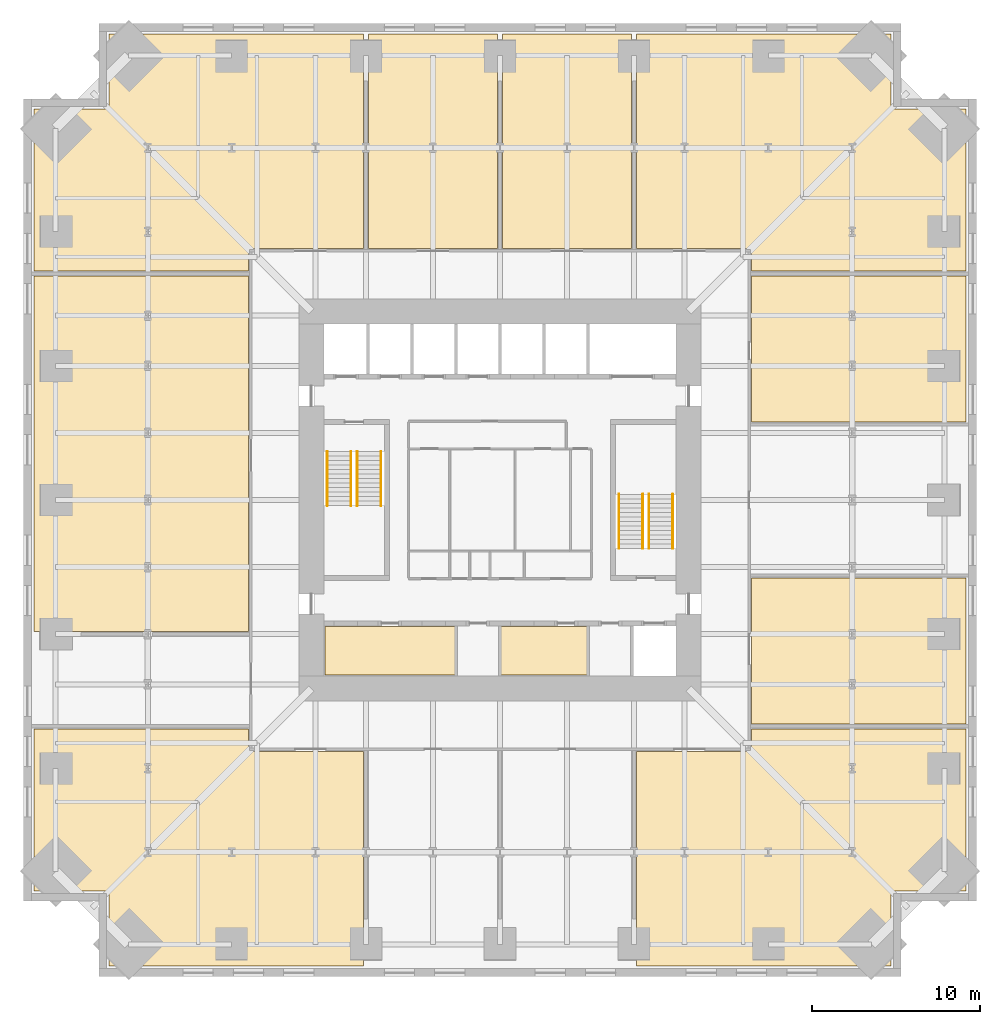
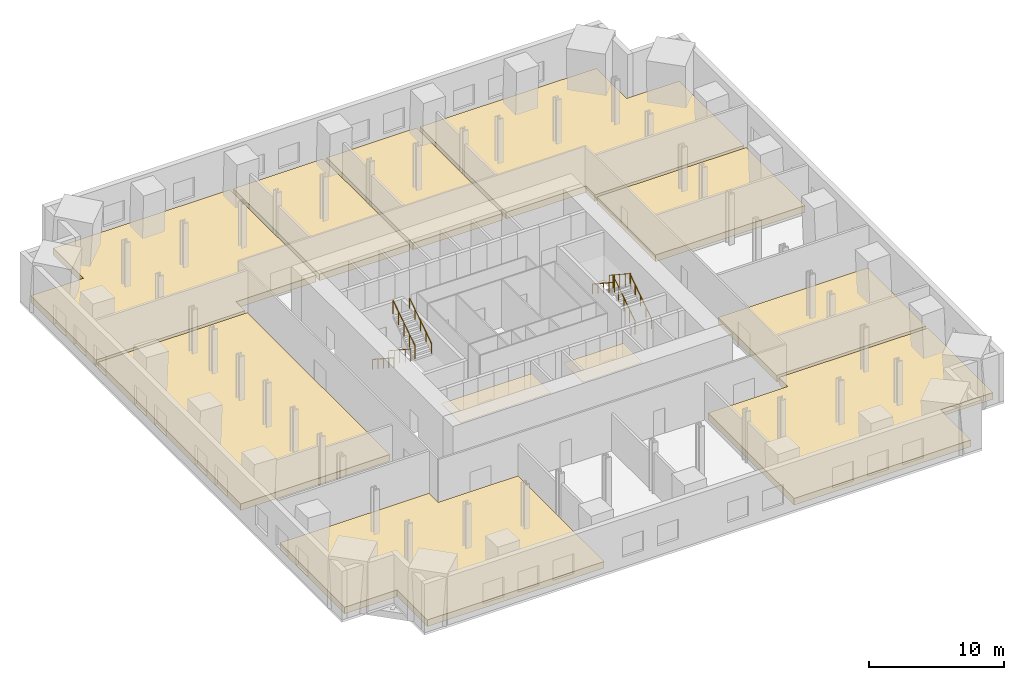
# One storey, part 8 of 8: 11 coverings, 8 railings.
"""IFC4 building model written with IfcOpenShell, lengths in metres."""

import ifcopenshell
import ifcopenshell.guid

model = None  # the IFC model being written
_history = None  # IfcOwnerHistory: only IFC2X3 demands one
_inside = {}  # id of a spatial element -> (the spatial element, [elements in it])
_under = {}  # id of a project, library or spatial element -> (it, [spatial elements below it])
_declared = {}  # id of a project -> (the project, [libraries it declares])
_typed = {}  # id of a type object -> (the type object, [elements of that type])
_made_of = {}  # id of a material, layer set ... -> (it, [elements and type objects made of it])


def new_model(schema):
    """Start an empty IFC model of exactly this schema.

    Asked for "IFC4X3", IfcOpenShell would pick the latest addendum, in which some entities
    have other attributes; the version numbers below select the first issue.
    IFC2X3 requires an IfcOwnerHistory on every rooted entity: one is made here for all.
    """
    global model, _history
    if schema == "IFC4X3":
        model = ifcopenshell.file(schema_version=(4, 3, 0, 0))
    else:
        model = ifcopenshell.file(schema=schema)
    _inside.clear()
    _under.clear()
    _declared.clear()
    _typed.clear()
    _made_of.clear()
    _history = None
    if model.schema == "IFC2X3":
        org = make("IfcOrganization", Name="unknown")
        user = make(
            "IfcPersonAndOrganization",
            ThePerson=make("IfcPerson", FamilyName="unknown"),
            TheOrganization=org,
        )
        app = make(
            "IfcApplication",
            ApplicationDeveloper=org,
            Version="unknown",
            ApplicationFullName="unknown",
            ApplicationIdentifier="unknown",
        )
        _history = make(
            "IfcOwnerHistory",
            OwningUser=user,
            OwningApplication=app,
            ChangeAction="ADDED",
            CreationDate=0,
        )
    return model


def make(cls, **values):
    """One entity of the class cls with the attributes given. An attribute that is None is left unset."""
    return model.create_entity(
        cls, **{name: value for name, value in values.items() if value is not None}
    )


def rooted(cls, **values):
    """An entity with a GlobalId (a new one), such as an element, a storey or a relation."""
    return make(cls, GlobalId=ifcopenshell.guid.new(), OwnerHistory=_history, **values)


def si_unit(unit_type, name, prefix=None):
    """IfcSIUnit, for example si_unit("LENGTHUNIT", "METRE", prefix="MILLI")."""
    return make("IfcSIUnit", UnitType=unit_type, Prefix=prefix, Name=name)


def assignment(units):
    """IfcUnitAssignment: the units of a project."""
    return None if units is None else make("IfcUnitAssignment", Units=units)


def point(xyz):
    """IfcCartesianPoint."""
    return None if xyz is None else make("IfcCartesianPoint", Coordinates=xyz)


def direction(xyz):
    """IfcDirection."""
    return None if xyz is None else make("IfcDirection", DirectionRatios=xyz)


def frame(location, z_axis=None, x_axis=None):
    """IfcAxis2Placement3D, a coordinate frame: its origin and axes. An axis left out is left unset."""
    return make(
        "IfcAxis2Placement3D",
        Location=point(location),
        Axis=direction(z_axis),
        RefDirection=direction(x_axis),
    )


def frame_2d(location, x_axis=None):
    """IfcAxis2Placement2D, a coordinate frame in the plane: its origin and x axis."""
    return make(
        "IfcAxis2Placement2D", Location=point(location), RefDirection=direction(x_axis)
    )


def origin():
    """The frame at (0, 0, 0) with its axes left unset."""
    return frame((0.0, 0.0, 0.0))


def origin_2d():
    """The frame at (0, 0) in the plane with its x axis left unset."""
    return frame_2d((0.0, 0.0))


def place(relative_to, where):
    """IfcLocalPlacement: puts the frame where relative to a parent placement (None: the world)."""
    return make(
        "IfcLocalPlacement", PlacementRelTo=relative_to, RelativePlacement=where
    )


def context(
    kind, dimensions, precision=None, world=None, true_north=None, identifier=None
):
    """IfcGeometricRepresentationContext, for example the 3D "Model" context."""
    return make(
        "IfcGeometricRepresentationContext",
        ContextIdentifier=identifier,
        ContextType=kind,
        CoordinateSpaceDimension=dimensions,
        Precision=precision,
        WorldCoordinateSystem=world,
        TrueNorth=true_north,
    )


def subcontext(parent, identifier, kind, view, scale=None):
    """IfcGeometricRepresentationSubContext, for example "Body" below "Model"."""
    return make(
        "IfcGeometricRepresentationSubContext",
        ContextIdentifier=identifier,
        ContextType=kind,
        ParentContext=parent,
        TargetScale=scale,
        TargetView=view,
    )


def project(units=None, contexts=None):
    """IfcProject with its units and contexts."""
    return rooted(
        "IfcProject",
        Name="project",
        RepresentationContexts=contexts,
        UnitsInContext=assignment(units),
    )


def spatial(cls, under=None, at=None, **own):
    """A site, building, storey or space (cls), placed at a placement, below another one or the project."""
    s = rooted(cls, ObjectPlacement=at, **own)
    if under is not None:
        _under.setdefault(under.id(), (under, []))[1].append(s)
    return s


def polyline(points):
    """IfcPolyline through the points."""
    return make("IfcPolyline", Points=[point(p) for p in points])


def profile(cls, at=None, kind="AREA", **sizes):
    """A parametric profile (cls). Its sizes go by their IFC names, for example OverallWidth=200.0."""
    return make(cls, ProfileType=kind, Position=at, **sizes)


def circle(**sizes):
    """IfcCircleProfileDef."""
    return profile("IfcCircleProfileDef", **sizes)


def outline(outer, holes=None, kind="AREA"):
    """IfcArbitraryClosedProfileDef: a profile drawn as a closed curve; with holes, ...WithVoids."""
    if holes is None:
        return make("IfcArbitraryClosedProfileDef", ProfileType=kind, OuterCurve=outer)
    return make(
        "IfcArbitraryProfileDefWithVoids",
        ProfileType=kind,
        OuterCurve=outer,
        InnerCurves=holes,
    )


def extrude(swept, where, along, depth):
    """IfcExtrudedAreaSolid: the profile swept, set in the frame where, extruded along a direction by depth."""
    return make(
        "IfcExtrudedAreaSolid",
        SweptArea=swept,
        Position=where,
        ExtrudedDirection=direction(along),
        Depth=depth,
    )


def shape(context_of_items, identifier, shape_type, items):
    """IfcShapeRepresentation: the items that make up one representation, for example the "Body"."""
    return make(
        "IfcShapeRepresentation",
        ContextOfItems=context_of_items,
        RepresentationIdentifier=identifier,
        RepresentationType=shape_type,
        Items=items,
    )


def material(Name=None, Category=None):
    """IfcMaterial."""
    return make("IfcMaterial", Name=Name, Category=Category)


def layer(
    of_material, thickness, ventilated=None, Name=None, Category=None, Priority=None
):
    """IfcMaterialLayer: one layer of a wall or slab, of a material (None: an air gap)."""
    return make(
        "IfcMaterialLayer",
        Material=of_material,
        LayerThickness=thickness,
        IsVentilated=ventilated,
        Name=Name,
        Category=Category,
        Priority=Priority,
    )


def layer_set(layers, Name=None):
    """IfcMaterialLayerSet."""
    return make("IfcMaterialLayerSet", MaterialLayers=layers, LayerSetName=Name)


def made_of(thing, what):
    """Note that an element or type object is made of a material, layer set ...; save() writes the relation."""
    if what is not None:
        _made_of.setdefault(what.id(), (what, []))[1].append(thing)
    return thing


def type_object(cls, material=None, **own):
    """A type object (cls), such as IfcWallType, which elements share."""
    return made_of(rooted(cls, **own), material)


def element(
    cls,
    number,
    at=None,
    inside=None,
    cuts=None,
    type_object=None,
    material=None,
    context=None,
    identifier="Body",
    shape_type=None,
    held_by="IfcProductDefinitionShape",
    body=None,
    shapes=None,
    **own,
):
    """One element of the class cls, such as IfcWall. Its Tag is "e" and its number.

    at: its placement. inside: the storey or other place that contains it. cuts: it is an
    opening in that element (IfcRelVoidsElement). A single representation is given by context,
    identifier, shape_type and body (its items); several are given by shapes. held_by: the class
    of the entity that holds the representations. save() writes the other relations.
    """
    e = rooted(cls, Tag="e%d" % number, ObjectPlacement=at, **own)
    if body is not None:
        shapes = [shape(context, identifier, shape_type, body)]
    if shapes is not None:
        e.Representation = make(held_by, Representations=shapes)
    if inside is not None:
        _inside.setdefault(inside.id(), (inside, []))[1].append(e)
    if cuts is not None:
        rooted(
            "IfcRelVoidsElement", RelatingBuildingElement=cuts, RelatedOpeningElement=e
        )
    if type_object is not None:
        _typed.setdefault(type_object.id(), (type_object, []))[1].append(e)
    return made_of(e, material)


def aggregate(whole, parts):
    """IfcRelAggregates: a whole, such as a stair, and the parts it consists of."""
    return rooted("IfcRelAggregates", RelatingObject=whole, RelatedObjects=parts)


def save(model, path):
    """Write the relations noted so far, then the file.

    IfcRelAggregates (storeys below a building ...), IfcRelContainedInSpatialStructure (elements
    in a storey), IfcRelDefinesByType, IfcRelAssociatesMaterial and IfcRelDeclares: one each for
    every whole, place, type object, material and project.
    """
    for whole, parts in _under.values():
        aggregate(whole, parts)
    for where, things in _inside.values():
        rooted(
            "IfcRelContainedInSpatialStructure",
            RelatedElements=things,
            RelatingStructure=where,
        )
    for kind, things in _typed.values():
        rooted("IfcRelDefinesByType", RelatedObjects=things, RelatingType=kind)
    for what, things in _made_of.values():
        rooted("IfcRelAssociatesMaterial", RelatedObjects=things, RelatingMaterial=what)
    for by, libraries in _declared.values():
        rooted("IfcRelDeclares", RelatingContext=by, RelatedDefinitions=libraries)
    model.write(path)


model = new_model("IFC4")

# Units and contexts
model_context = context("Model", 3, precision=1e-05, world=origin(), true_north=direction((0.0, 1.0)))
body_context = subcontext(model_context, "Body", "Model", "MODEL_VIEW")
ifc_project = project(units=[si_unit("LENGTHUNIT", "METRE"), si_unit("AREAUNIT", "SQUARE_METRE"), si_unit("VOLUMEUNIT", "CUBIC_METRE"), si_unit("PLANEANGLEUNIT", "RADIAN"), si_unit("MASSUNIT", "GRAM", prefix="KILO")], contexts=[model_context])

# Site, building, storey
site_placement = place(None, origin())
site = spatial("IfcSite", under=ifc_project, at=site_placement, CompositionType="ELEMENT")
building_placement = place(site_placement, origin())
building = spatial("IfcBuilding", under=site, at=building_placement, Name="Peilmerk Tower", CompositionType="ELEMENT")
storey_placement = place(building_placement, frame((0.0, 0.0, 109.0)))
storey = spatial("IfcBuildingStorey", under=building, at=storey_placement, Name="L21", CompositionType="ELEMENT", Elevation=109.0)

# Coverings
ifc_material_1 = material(Name="Mineral fibre ceiling tiles", Category="mineral")
ifc_layer_1 = layer(ifc_material_1, 0.02490234375)
ifc_layer_set_1 = layer_set([ifc_layer_1], Name="Mineral fibre ceiling tiles")
covering_type_1 = type_object("IfcCoveringType", Name="CL1 25 suspended ceiling", PredefinedType="CEILING", material=ifc_layer_set_1)
covering_1_placement = place(storey_placement, frame((0.0, 0.0, 3.425048828125)))
element("IfcCovering", 1, at=covering_1_placement, inside=storey, type_object=covering_type_1, Name="Suspended ceiling Back-of-house office", PredefinedType="CEILING", context=body_context, shape_type="SweptSolid", body=[
    extrude(outline(polyline([(-10.448974609375, -10.448974609375), (-2.676025390625, -10.448974609375), (-2.676025390625, -7.551025390625), (-10.448974609375, -7.551025390625), (-10.448974609375, -10.448974609375)])), origin(), (0.0, 0.0, 1.0), 0.02490234375),
])
covering_2_placement = place(storey_placement, frame((0.0, 0.0, 3.425048828125)))
element("IfcCovering", 2, at=covering_2_placement, inside=storey, type_object=covering_type_1, Name="Suspended ceiling Pantry", PredefinedType="CEILING", context=body_context, shape_type="SweptSolid", body=[
    extrude(outline(polyline([(0.051025390625, -10.448974609375), (5.198974609375, -10.448974609375), (5.198974609375, -7.551025390625), (0.051025390625, -7.551025390625), (0.051025390625, -10.448974609375)])), origin(), (0.0, 0.0, 1.0), 0.02490234375),
])

# Railings
ifc_material_2 = material(Name="Steel flat bar balustrade", Category="steel")
railing_type_1 = type_object("IfcRailingType", Name="GR1 1200 stair guard", PredefinedType="GUARDRAIL", material=ifc_material_2)
railing_1_placement = place(storey_placement, frame((-8.8798828125, 2.89990234375, 0.177001953125)))
element("IfcRailing", 3, at=railing_1_placement, inside=storey, type_object=railing_type_1, Name="Guard stair 1 L21", PredefinedType="GUARDRAIL", context=body_context, shape_type="SweptSolid", body=[
    extrude(circle(Radius=0.02392578125, at=origin_2d()), frame((0.0, 0.0, 1.17578125), z_axis=(0.0, -0.836426258751, 0.548079477514), x_axis=(1.0, 0.0, 0.0)), (0.0, 0.0, 1.0), 3.87353515625),
    extrude(circle(Radius=0.02099609375, at=origin_2d()), origin(), (0.0, 0.0, 1.0), 1.15185546875),
    extrude(circle(Radius=0.02099609375, at=origin_2d()), frame((0.0, -0.81005859375, 0.53076171875)), (0.0, 0.0, 1.0), 1.15185546875),
    extrude(circle(Radius=0.02099609375, at=origin_2d()), frame((0.0, -1.6201171875, 1.0615234375)), (0.0, 0.0, 1.0), 1.15185546875),
    extrude(circle(Radius=0.02099609375, at=origin_2d()), frame((0.0, -2.429931640625, 1.59228515625)), (0.0, 0.0, 1.0), 1.15185546875),
    extrude(circle(Radius=0.02099609375, at=origin_2d()), frame((0.0, -3.239990234375, 2.123046875)), (0.0, 0.0, 1.0), 1.15185546875),
])
railing_2_placement = place(storey_placement, frame((-8.52001953125, -0.340087890625, 2.476806640625)))
element("IfcRailing", 4, at=railing_2_placement, inside=storey, type_object=railing_type_1, Name="Guard stair 1 L21", PredefinedType="GUARDRAIL", context=body_context, shape_type="SweptSolid", body=[
    extrude(circle(Radius=0.02392578125, at=origin_2d()), frame((0.0, 0.0, 1.17578125), z_axis=(0.0, 0.836397365415, 0.548123569212), x_axis=(-1.0, 0.0, 0.0)), (0.0, 0.0, 1.0), 3.873779296875),
    extrude(circle(Radius=0.02099609375, at=origin_2d()), origin(), (0.0, 0.0, 1.0), 1.15185546875),
    extrude(circle(Radius=0.02099609375, at=origin_2d()), frame((0.0, 0.81005859375, 0.53076171875)), (0.0, 0.0, 1.0), 1.15185546875),
    extrude(circle(Radius=0.02099609375, at=origin_2d()), frame((0.0, 1.6201171875, 1.0615234375)), (0.0, 0.0, 1.0), 1.15185546875),
    extrude(circle(Radius=0.02099609375, at=origin_2d()), frame((0.0, 2.429931640625, 1.592529296875)), (0.0, 0.0, 1.0), 1.15185546875),
    extrude(circle(Radius=0.02099609375, at=origin_2d()), frame((0.0, 3.239990234375, 2.123291015625)), (0.0, 0.0, 1.0), 1.15185546875),
])
railing_3_placement = place(storey_placement, frame((8.8798828125, -2.89990234375, 0.177001953125)))
element("IfcRailing", 5, at=railing_3_placement, inside=storey, type_object=railing_type_1, Name="Guard stair 2 L21", PredefinedType="GUARDRAIL", context=body_context, shape_type="SweptSolid", body=[
    extrude(circle(Radius=0.02392578125, at=origin_2d()), frame((0.0, 0.0, 1.17578125), z_axis=(0.0, 0.836426258751, 0.548079477514), x_axis=(-1.0, 0.0, 0.0)), (0.0, 0.0, 1.0), 3.87353515625),
    extrude(circle(Radius=0.02099609375, at=origin_2d()), origin(), (0.0, 0.0, 1.0), 1.15185546875),
    extrude(circle(Radius=0.02099609375, at=origin_2d()), frame((0.0, 0.81005859375, 0.53076171875)), (0.0, 0.0, 1.0), 1.15185546875),
    extrude(circle(Radius=0.02099609375, at=origin_2d()), frame((0.0, 1.6201171875, 1.0615234375)), (0.0, 0.0, 1.0), 1.15185546875),
    extrude(circle(Radius=0.02099609375, at=origin_2d()), frame((0.0, 2.429931640625, 1.59228515625)), (0.0, 0.0, 1.0), 1.15185546875),
    extrude(circle(Radius=0.02099609375, at=origin_2d()), frame((0.0, 3.239990234375, 2.123046875)), (0.0, 0.0, 1.0), 1.15185546875),
])
railing_4_placement = place(storey_placement, frame((8.52001953125, 0.340087890625, 2.476806640625)))
element("IfcRailing", 6, at=railing_4_placement, inside=storey, type_object=railing_type_1, Name="Guard stair 2 L21", PredefinedType="GUARDRAIL", context=body_context, shape_type="SweptSolid", body=[
    extrude(circle(Radius=0.02392578125, at=origin_2d()), frame((0.0, 0.0, 1.17578125), z_axis=(0.0, -0.836397365415, 0.548123569212), x_axis=(1.0, 0.0, 0.0)), (0.0, 0.0, 1.0), 3.873779296875),
    extrude(circle(Radius=0.02099609375, at=origin_2d()), origin(), (0.0, 0.0, 1.0), 1.15185546875),
    extrude(circle(Radius=0.02099609375, at=origin_2d()), frame((0.0, -0.81005859375, 0.53076171875)), (0.0, 0.0, 1.0), 1.15185546875),
    extrude(circle(Radius=0.02099609375, at=origin_2d()), frame((0.0, -1.6201171875, 1.0615234375)), (0.0, 0.0, 1.0), 1.15185546875),
    extrude(circle(Radius=0.02099609375, at=origin_2d()), frame((0.0, -2.429931640625, 1.592529296875)), (0.0, 0.0, 1.0), 1.15185546875),
    extrude(circle(Radius=0.02099609375, at=origin_2d()), frame((0.0, -3.239990234375, 2.123291015625)), (0.0, 0.0, 1.0), 1.15185546875),
])
ifc_material_3 = material(Name="Stainless steel tube", Category="steel")
railing_type_2 = type_object("IfcRailingType", Name="HR1 900 stair handrail", PredefinedType="HANDRAIL", material=ifc_material_3)
railing_5_placement = place(storey_placement, frame((-10.300048828125, 2.89990234375, 0.177001953125)))
element("IfcRailing", 7, at=railing_5_placement, inside=storey, type_object=railing_type_2, Name="Handrail stair 1 L21", PredefinedType="HANDRAIL", context=body_context, shape_type="SweptSolid", body=[
    extrude(circle(Radius=0.02392578125, at=origin_2d()), frame((0.0, 0.0, 0.8759765625), z_axis=(0.0, -0.836426258751, 0.548079477514), x_axis=(1.0, 0.0, 0.0)), (0.0, 0.0, 1.0), 3.87353515625),
    extrude(circle(Radius=0.02099609375, at=origin_2d()), origin(), (0.0, 0.0, 1.0), 0.851806640625),
    extrude(circle(Radius=0.02099609375, at=origin_2d()), frame((0.0, -0.81005859375, 0.53076171875)), (0.0, 0.0, 1.0), 0.851806640625),
    extrude(circle(Radius=0.02099609375, at=origin_2d()), frame((0.0, -1.6201171875, 1.0615234375)), (0.0, 0.0, 1.0), 0.851806640625),
    extrude(circle(Radius=0.02099609375, at=origin_2d()), frame((0.0, -2.429931640625, 1.59228515625)), (0.0, 0.0, 1.0), 0.851806640625),
    extrude(circle(Radius=0.02099609375, at=origin_2d()), frame((0.0, -3.239990234375, 2.123046875)), (0.0, 0.0, 1.0), 0.851806640625),
])
railing_6_placement = place(storey_placement, frame((-7.10009765625, -0.340087890625, 2.476806640625)))
element("IfcRailing", 8, at=railing_6_placement, inside=storey, type_object=railing_type_2, Name="Handrail stair 1 L21", PredefinedType="HANDRAIL", context=body_context, shape_type="SweptSolid", body=[
    extrude(circle(Radius=0.02392578125, at=origin_2d()), frame((0.0, 0.0, 0.8759765625), z_axis=(0.0, 0.836397365415, 0.548123569212), x_axis=(-1.0, 0.0, 0.0)), (0.0, 0.0, 1.0), 3.873779296875),
    extrude(circle(Radius=0.02099609375, at=origin_2d()), origin(), (0.0, 0.0, 1.0), 0.851806640625),
    extrude(circle(Radius=0.02099609375, at=origin_2d()), frame((0.0, 0.81005859375, 0.53076171875)), (0.0, 0.0, 1.0), 0.851806640625),
    extrude(circle(Radius=0.02099609375, at=origin_2d()), frame((0.0, 1.6201171875, 1.0615234375)), (0.0, 0.0, 1.0), 0.851806640625),
    extrude(circle(Radius=0.02099609375, at=origin_2d()), frame((0.0, 2.429931640625, 1.592529296875)), (0.0, 0.0, 1.0), 0.851806640625),
    extrude(circle(Radius=0.02099609375, at=origin_2d()), frame((0.0, 3.239990234375, 2.123291015625)), (0.0, 0.0, 1.0), 0.851806640625),
])
railing_7_placement = place(storey_placement, frame((10.300048828125, -2.89990234375, 0.177001953125)))
element("IfcRailing", 9, at=railing_7_placement, inside=storey, type_object=railing_type_2, Name="Handrail stair 2 L21", PredefinedType="HANDRAIL", context=body_context, shape_type="SweptSolid", body=[
    extrude(circle(Radius=0.02392578125, at=origin_2d()), frame((0.0, 0.0, 0.8759765625), z_axis=(0.0, 0.836426258751, 0.548079477514), x_axis=(-1.0, 0.0, 0.0)), (0.0, 0.0, 1.0), 3.87353515625),
    extrude(circle(Radius=0.02099609375, at=origin_2d()), origin(), (0.0, 0.0, 1.0), 0.851806640625),
    extrude(circle(Radius=0.02099609375, at=origin_2d()), frame((0.0, 0.81005859375, 0.53076171875)), (0.0, 0.0, 1.0), 0.851806640625),
    extrude(circle(Radius=0.02099609375, at=origin_2d()), frame((0.0, 1.6201171875, 1.0615234375)), (0.0, 0.0, 1.0), 0.851806640625),
    extrude(circle(Radius=0.02099609375, at=origin_2d()), frame((0.0, 2.429931640625, 1.59228515625)), (0.0, 0.0, 1.0), 0.851806640625),
    extrude(circle(Radius=0.02099609375, at=origin_2d()), frame((0.0, 3.239990234375, 2.123046875)), (0.0, 0.0, 1.0), 0.851806640625),
])
railing_8_placement = place(storey_placement, frame((7.10009765625, 0.340087890625, 2.476806640625)))
element("IfcRailing", 10, at=railing_8_placement, inside=storey, type_object=railing_type_2, Name="Handrail stair 2 L21", PredefinedType="HANDRAIL", context=body_context, shape_type="SweptSolid", body=[
    extrude(circle(Radius=0.02392578125, at=origin_2d()), frame((0.0, 0.0, 0.8759765625), z_axis=(0.0, -0.836397365415, 0.548123569212), x_axis=(1.0, 0.0, 0.0)), (0.0, 0.0, 1.0), 3.873779296875),
    extrude(circle(Radius=0.02099609375, at=origin_2d()), origin(), (0.0, 0.0, 1.0), 0.851806640625),
    extrude(circle(Radius=0.02099609375, at=origin_2d()), frame((0.0, -0.81005859375, 0.53076171875)), (0.0, 0.0, 1.0), 0.851806640625),
    extrude(circle(Radius=0.02099609375, at=origin_2d()), frame((0.0, -1.6201171875, 1.0615234375)), (0.0, 0.0, 1.0), 0.851806640625),
    extrude(circle(Radius=0.02099609375, at=origin_2d()), frame((0.0, -2.429931640625, 1.592529296875)), (0.0, 0.0, 1.0), 0.851806640625),
    extrude(circle(Radius=0.02099609375, at=origin_2d()), frame((0.0, -3.239990234375, 2.123291015625)), (0.0, 0.0, 1.0), 0.851806640625),
])

# Coverings
ifc_material_4 = material(Name="Steel raised access floor panels on pedestals", Category="steel")
ifc_layer_2 = layer(ifc_material_4, 0.60009765625)
ifc_layer_set_2 = layer_set([ifc_layer_2], Name="Steel raised access floor panels on pedestals")
covering_type_2 = type_object("IfcCoveringType", Name="RF1 600 raised access floor", PredefinedType="FLOORING", material=ifc_layer_set_2)
covering_3_placement = place(storey_placement, origin())
element("IfcCovering", 11, at=covering_3_placement, inside=storey, type_object=covering_type_2, Name="Raised access floor Fibre distribution room A", PredefinedType="FLOORING", context=body_context, shape_type="SweptSolid", body=[
    extrude(outline(polyline([(-27.800048828125, 23.300048828125), (-27.800048828125, 13.64990234375), (-15.0, 13.64990234375), (-15.0, 15.0), (-8.14990234375, 15.0), (-8.14990234375, 27.800048828125), (-23.300048828125, 27.800048828125), (-23.300048828125, 23.300048828125), (-27.800048828125, 23.300048828125)])), origin(), (0.0, 0.0, 1.0), 0.60009765625),
])
covering_4_placement = place(storey_placement, origin())
element("IfcCovering", 12, at=covering_4_placement, inside=storey, type_object=covering_type_2, Name="Raised access floor Cross-connect room A", PredefinedType="FLOORING", context=body_context, shape_type="SweptSolid", body=[
    extrude(outline(polyline([(-0.14990234375, 27.800048828125), (-7.85009765625, 27.800048828125), (-7.85009765625, 15.0), (-0.14990234375, 15.0), (-0.14990234375, 27.800048828125)])), origin(), (0.0, 0.0, 1.0), 0.60009765625),
])
covering_5_placement = place(storey_placement, origin())
element("IfcCovering", 13, at=covering_5_placement, inside=storey, type_object=covering_type_2, Name="Raised access floor Cross-connect room B", PredefinedType="FLOORING", context=body_context, shape_type="SweptSolid", body=[
    extrude(outline(polyline([(7.85009765625, 27.800048828125), (0.14990234375, 27.800048828125), (0.14990234375, 15.0), (7.85009765625, 15.0), (7.85009765625, 27.800048828125)])), origin(), (0.0, 0.0, 1.0), 0.60009765625),
])
covering_6_placement = place(storey_placement, origin())
element("IfcCovering", 14, at=covering_6_placement, inside=storey, type_object=covering_type_2, Name="Raised access floor Fibre distribution room B", PredefinedType="FLOORING", context=body_context, shape_type="SweptSolid", body=[
    extrude(outline(polyline([(23.300048828125, 27.800048828125), (8.14990234375, 27.800048828125), (8.14990234375, 15.0), (15.0, 15.0), (15.0, 13.64990234375), (27.800048828125, 13.64990234375), (27.800048828125, 23.300048828125), (23.300048828125, 23.300048828125), (23.300048828125, 27.800048828125)])), origin(), (0.0, 0.0, 1.0), 0.60009765625),
])
covering_7_placement = place(storey_placement, origin())
element("IfcCovering", 15, at=covering_7_placement, inside=storey, type_object=covering_type_2, Name="Raised access floor Meet-me room A", PredefinedType="FLOORING", context=body_context, shape_type="SweptSolid", body=[
    extrude(outline(polyline([(-23.300048828125, -27.800048828125), (-8.14990234375, -27.800048828125), (-8.14990234375, -15.0), (-15.0, -15.0), (-15.0, -13.64990234375), (-27.800048828125, -13.64990234375), (-27.800048828125, -23.300048828125), (-23.300048828125, -23.300048828125), (-23.300048828125, -27.800048828125)])), origin(), (0.0, 0.0, 1.0), 0.60009765625),
])
covering_8_placement = place(storey_placement, origin())
element("IfcCovering", 16, at=covering_8_placement, inside=storey, type_object=covering_type_2, Name="Raised access floor Meet-me room B", PredefinedType="FLOORING", context=body_context, shape_type="SweptSolid", body=[
    extrude(outline(polyline([(8.14990234375, -27.800048828125), (23.300048828125, -27.800048828125), (23.300048828125, -23.300048828125), (27.800048828125, -23.300048828125), (27.800048828125, -13.64990234375), (15.0, -13.64990234375), (15.0, -15.0), (8.14990234375, -15.0), (8.14990234375, -27.800048828125)])), origin(), (0.0, 0.0, 1.0), 0.60009765625),
])
covering_9_placement = place(storey_placement, origin())
element("IfcCovering", 17, at=covering_9_placement, inside=storey, type_object=covering_type_2, Name="Raised access floor Carrier room", PredefinedType="FLOORING", context=body_context, shape_type="SweptSolid", body=[
    extrude(outline(polyline([(27.800048828125, -13.35009765625), (27.800048828125, -4.64990234375), (15.0, -4.64990234375), (15.0, -13.35009765625), (27.800048828125, -13.35009765625)])), origin(), (0.0, 0.0, 1.0), 0.60009765625),
])
covering_10_placement = place(storey_placement, origin())
element("IfcCovering", 18, at=covering_10_placement, inside=storey, type_object=covering_type_2, Name="Raised access floor Test room", PredefinedType="FLOORING", context=body_context, shape_type="SweptSolid", body=[
    extrude(outline(polyline([(27.800048828125, 4.64990234375), (27.800048828125, 13.35009765625), (15.0, 13.35009765625), (15.0, 4.64990234375), (27.800048828125, 4.64990234375)])), origin(), (0.0, 0.0, 1.0), 0.60009765625),
])
covering_11_placement = place(storey_placement, origin())
element("IfcCovering", 19, at=covering_11_placement, inside=storey, type_object=covering_type_2, Name="Raised access floor Telecom equipment room", PredefinedType="FLOORING", context=body_context, shape_type="SweptSolid", body=[
    extrude(outline(polyline([(-27.800048828125, 13.35009765625), (-27.800048828125, -7.85009765625), (-15.0, -7.85009765625), (-15.0, 13.35009765625), (-27.800048828125, 13.35009765625)])), origin(), (0.0, 0.0, 1.0), 0.60009765625),
])

save(model, "model.ifc")
